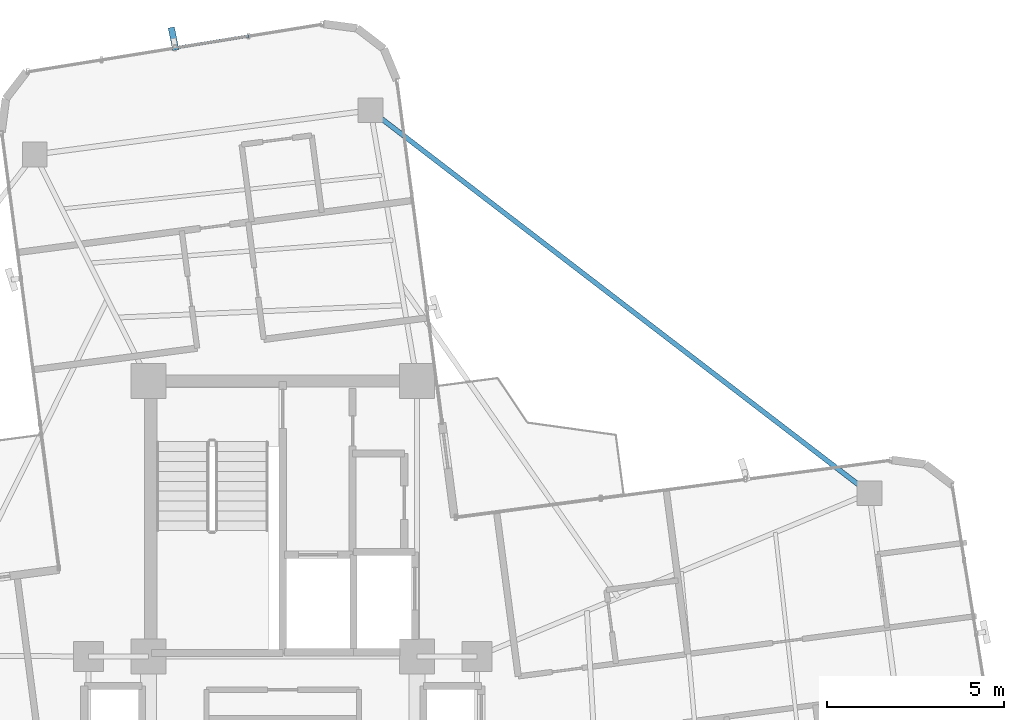
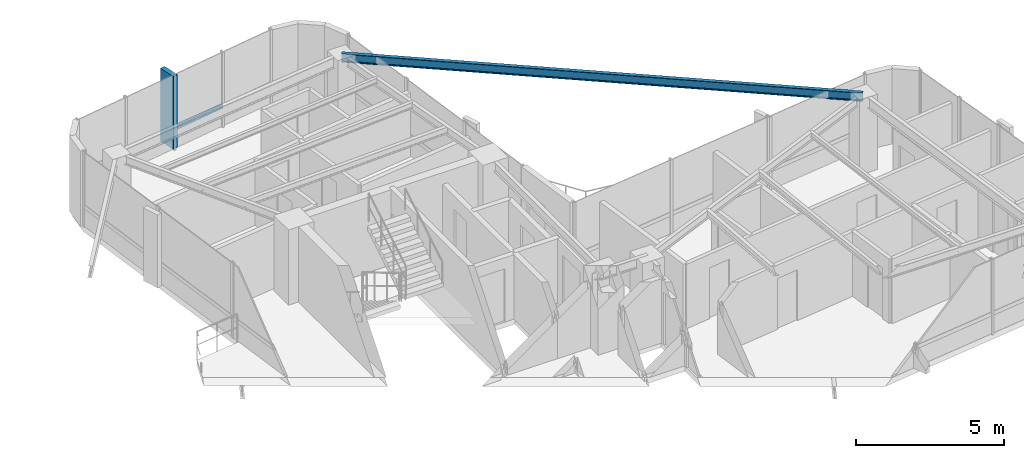
# One storey, part 14 of 21: 2 members, 1 beam, 1 element without a shape of its own.
"""IFC4 building model written with IfcOpenShell, lengths in metres."""

from ifc_helpers import new_model, si_unit, direction, frame, origin, origin_2d, place, context, subcontext, project, spatial, rectangle, hollow_rectangle, i_section, extrude, source, transform, mapped, material, material_profile, profile_set, type_object, element, aggregate, save


model = new_model("IFC4")

# Units and contexts
model_context = context("Model", 3, precision=1e-05, world=origin(), true_north=direction((0.0, 1.0)))
body_context = subcontext(model_context, "Body", "Model", "MODEL_VIEW")
ifc_project = project(units=[si_unit("LENGTHUNIT", "METRE"), si_unit("AREAUNIT", "SQUARE_METRE"), si_unit("VOLUMEUNIT", "CUBIC_METRE"), si_unit("PLANEANGLEUNIT", "RADIAN"), si_unit("MASSUNIT", "GRAM", prefix="KILO")], contexts=[model_context])

# Site, building, storey
site_placement = place(None, origin())
site = spatial("IfcSite", under=ifc_project, at=site_placement, CompositionType="ELEMENT")
building_placement = place(site_placement, origin())
building = spatial("IfcBuilding", under=site, at=building_placement, Name="Sahyath Konkavel Grand Hotel", CompositionType="ELEMENT")
storey_placement = place(building_placement, frame((0.0, 0.0, 219.89990234375)))
storey = spatial("IfcBuildingStorey", under=building, at=storey_placement, Name="L61", CompositionType="ELEMENT", Elevation=219.89990234375)

# Beam
ifc_material_1 = material(Name="Steel E350", Category="steel")
ifc_material_profile_1 = material_profile(ifc_material_1, i_section(OverallWidth=0.139892578125, OverallDepth=0.35009765625, WebThickness=0.008056640625, FlangeThickness=0.01416015625, FilletRadius=0.013916015625, at=origin_2d()), Name="ISMB 350")
ifc_profile_set_1 = profile_set([ifc_material_profile_1], Name="Steel E350")
beam_type = type_object("IfcBeamType", Name="BM-ISMB350", PredefinedType="BEAM", material=ifc_profile_set_1)
shared_shape_1 = source(origin(), body_context, "Body", "SweptSolid", [
    extrude(i_section(OverallWidth=0.139892578125, OverallDepth=0.35009765625, WebThickness=0.008056640625, FlangeThickness=0.01416015625, FilletRadius=0.013916015625, at=origin_2d()), origin(), (0.0, 0.0, 1.0), 17.806396484375),
])
beam_placement = place(storey_placement, frame((16.6123046875, 7.0244140625, 2.93505859375), z_axis=(-0.793352290764, 0.608762796777, 0.0), x_axis=(-0.608762796777, -0.793352290764, 0.0)))
element("IfcBeam", 1, at=beam_placement, inside=storey, type_object=beam_type, Name="L61 Re-Entrant Tie Beam NE", PredefinedType="BEAM", context=body_context, shape_type="MappedRepresentation", body=[
    mapped(shared_shape_1, transform((0.0, 0.0, 0.0), scale=1.0)),
])

# Curtain wall, members
ifc_material_2 = material(Name="Anodised Bronze Aluminium & Low-E Glazing", Category="aluminium")
curtain_wall_type = type_object("IfcCurtainWallType", Name="CW-ZONE4", PredefinedType="NOTDEFINED", material=ifc_material_2)
curtain_wall_placement = place(storey_placement, origin())
curtain_wall = element("IfcCurtainWall", 2, at=curtain_wall_placement, inside=storey, type_object=curtain_wall_type, Name="L61 Unitised Curtain Wall F12", PredefinedType="NOTDEFINED")
ifc_material_3 = material(Name="Warm Buff Sandstone Cladding on Concrete C50/60", Category="masonry")
ifc_material_profile_2 = material_profile(ifc_material_3, rectangle(XDim=0.179931640625, YDim=0.64990234375, at=origin_2d()), Name="FIN 180x650")
ifc_profile_set_2 = profile_set([ifc_material_profile_2], Name="Warm Buff Sandstone Cladding on Concrete C50/60")
member_type_1 = type_object("IfcMemberType", Name="FIN-SANDSTONE-650", PredefinedType="MULLION", material=ifc_profile_set_2)
shared_shape_2 = source(origin(), body_context, "Body", "SweptSolid", [
    extrude(rectangle(XDim=0.179931640625, YDim=0.64990234375, at=origin_2d()), origin(), (0.0, 0.0, 1.0), 3.010009765625),
])
member_1_placement = place(storey_placement, frame((-3.092529296875, 19.889404296875, 0.050048828125), z_axis=(0.0, 0.0, 1.0), x_axis=(0.980028959096, 0.198854819736, 0.0)))
member_1 = element("IfcMember", 3, at=member_1_placement, type_object=member_type_1, Name="L61 Sandstone Vertical Solar Fin FIN F12-2", PredefinedType="MULLION", context=body_context, shape_type="MappedRepresentation", body=[
    mapped(shared_shape_2, transform((0.0, 0.0, 0.0), scale=1.0)),
])
ifc_material_4 = material(Name="Anodised Bronze Aluminium", Category="aluminium")
ifc_material_profile_3 = material_profile(ifc_material_4, hollow_rectangle(XDim=0.080078125, YDim=0.159912109375, WallThickness=0.006103515625, at=origin_2d()), Name="RHS 160x80x6")
ifc_profile_set_3 = profile_set([ifc_material_profile_3], Name="Anodised Bronze Aluminium")
member_type_2 = type_object("IfcMemberType", Name="CW-TRN-160", PredefinedType="USERDEFINED", material=ifc_profile_set_3)
shared_shape_3 = source(origin(), body_context, "Body", "SweptSolid", [
    extrude(hollow_rectangle(XDim=0.080078125, YDim=0.159912109375, WallThickness=0.006103515625, at=origin_2d()), origin(), (0.0, 0.0, 1.0), 2.110107421875),
])
member_2_placement = place(storey_placement, frame((-0.968017578125, 19.968994140625, 0.85009765625), z_axis=(-0.987228210283, -0.159312462857, 0.0), x_axis=(0.159312462857, -0.987228210283, 0.0)))
member_2 = element("IfcMember", 4, at=member_2_placement, type_object=member_type_2, Name="L61 Curtain Wall Transom F12-1-spandrel", ObjectType="TRANSOM", PredefinedType="USERDEFINED", context=body_context, shape_type="MappedRepresentation", body=[
    mapped(shared_shape_3, transform((0.0, 0.0, 0.0), scale=1.0)),
])
aggregate(curtain_wall, [member_1, member_2])

save(model, "model.ifc")
